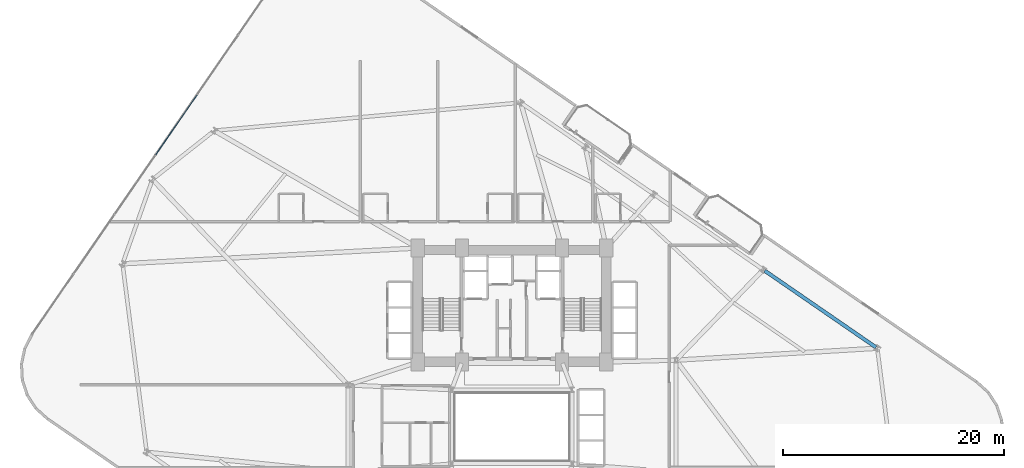
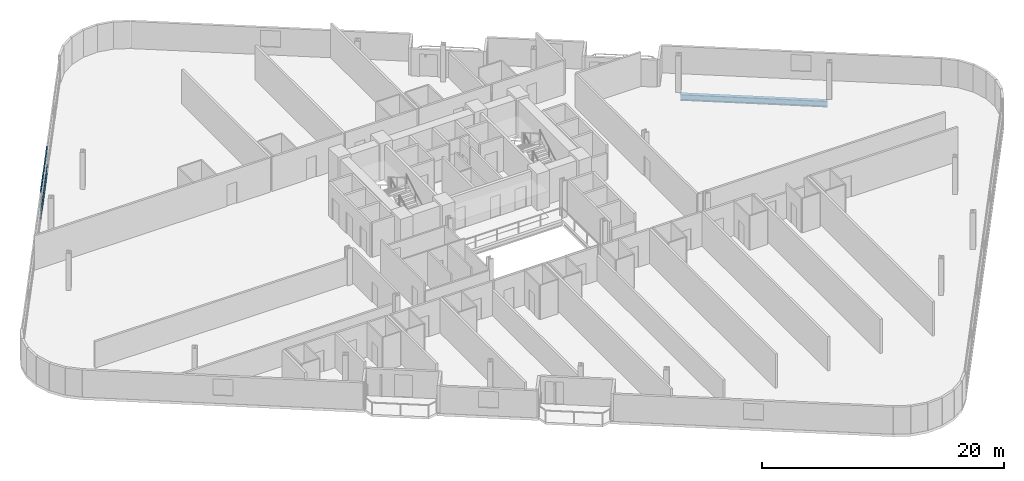
# One storey, part 12 of 25: 3 members, 1 beam, 1 element without a shape of its own.
"""IFC4 building model written with IfcOpenShell, lengths in metres."""

from ifc_helpers import new_model, si_unit, direction, frame, origin, origin_2d, place, context, subcontext, project, spatial, hollow_rectangle, i_section, extrude, material, layer, layer_set, material_profile, profile_set, type_object, element, aggregate, save


model = new_model("IFC4")

# Units and contexts
model_context = context("Model", 3, precision=1e-05, world=origin(), true_north=direction((0.0, 1.0)))
body_context = subcontext(model_context, "Body", "Model", "MODEL_VIEW")
ifc_project = project(units=[si_unit("LENGTHUNIT", "METRE"), si_unit("AREAUNIT", "SQUARE_METRE"), si_unit("VOLUMEUNIT", "CUBIC_METRE"), si_unit("PLANEANGLEUNIT", "RADIAN"), si_unit("MASSUNIT", "GRAM", prefix="KILO")], contexts=[model_context])

# Site, building, storey
site_placement = place(None, origin())
site = spatial("IfcSite", under=ifc_project, at=site_placement, CompositionType="ELEMENT")
building_placement = place(site_placement, origin())
building = spatial("IfcBuilding", under=site, at=building_placement, Name="Varnelok Gate Tower", CompositionType="ELEMENT")
storey_placement = place(building_placement, frame((0.0, 0.0, 34.39990234375)))
storey = spatial("IfcBuildingStorey", under=building, at=storey_placement, Name="L07", CompositionType="ELEMENT", Elevation=34.39990234375)

# Beam
ifc_material_1 = material(Name="Structural Steel ASTM A992 Grade 50", Category="steel")
ifc_material_profile_1 = material_profile(ifc_material_1, i_section(OverallWidth=0.323974609375, OverallDepth=0.611083984375, WebThickness=0.0126953125, FlangeThickness=0.01904296875, FilletRadius=0.01806640625, at=origin_2d()), Name="W24X104")
ifc_profile_set_1 = profile_set([ifc_material_profile_1], Name="Structural Steel ASTM A992 Grade 50")
beam_type = type_object("IfcBeamType", Name="BM-SPN-W24X104", PredefinedType="SPANDREL", material=ifc_profile_set_1)
beam_placement = place(storey_placement, frame((72.06201171875, 30.08251953125, -0.555419921875), z_axis=(-0.823543541425, 0.567253061144, 0.0), x_axis=(-0.567253061144, -0.823543541425, 0.0)))
element("IfcBeam", 1, at=beam_placement, inside=storey, type_object=beam_type, Name="L07 Perimeter Spandrel Beam 9", PredefinedType="SPANDREL", context=body_context, shape_type="SweptSolid", body=[
    extrude(i_section(OverallWidth=0.323974609375, OverallDepth=0.611083984375, WebThickness=0.0126953125, FlangeThickness=0.01904296875, FilletRadius=0.01806640625, at=origin_2d()), origin(), (0.0, 0.0, 1.0), 12.199951171875),
])

# Curtain wall, members
ifc_material_2 = material(Name="Anodized Aluminum Alloy 6063-T6", Category="aluminium")
ifc_layer = layer(ifc_material_2, 0.179931640625)
ifc_layer_set = layer_set([ifc_layer], Name="Anodized Aluminum Alloy 6063-T6")
curtain_wall_type = type_object("IfcCurtainWallType", Name="CW3-HOTEL-VISION", PredefinedType="USERDEFINED", material=ifc_layer_set)
curtain_wall_placement = place(storey_placement, origin())
curtain_wall = element("IfcCurtainWall", 2, at=curtain_wall_placement, inside=storey, type_object=curtain_wall_type, Name="L07 West End Vision Curtain Wall", ObjectType="UNITISED CURTAIN WALL", PredefinedType="USERDEFINED")
ifc_material_profile_2 = material_profile(ifc_material_2, hollow_rectangle(XDim=0.06494140625, YDim=0.159912109375, WallThickness=0.00390625, at=origin_2d()), Name="ALU160X65X4")
ifc_profile_set_2 = profile_set([ifc_material_profile_2], Name="Anodized Aluminum Alloy 6063-T6")
member_type = type_object("IfcMemberType", Name="CW-TRAN-160", PredefinedType="USERDEFINED", material=ifc_profile_set_2)
member_1_placement = place(storey_placement, frame((7.05126953125, 47.484375, 0.03271484375), z_axis=(0.567279204469, 0.823525533409, 0.0), x_axis=(-0.823525533409, 0.567279204469, 0.0)))
member_1 = element("IfcMember", 3, at=member_1_placement, type_object=member_type, Name="CW3 transom 4.1", ObjectType="TRANSOM", PredefinedType="USERDEFINED", context=body_context, shape_type="SweptSolid", body=[
    extrude(hollow_rectangle(XDim=0.06494140625, YDim=0.159912109375, WallThickness=0.00390625, at=origin_2d()), origin(), (0.0, 0.0, 1.0), 6.501708984375),
])
member_2_placement = place(storey_placement, frame((7.05126953125, 47.484375, 0.900146484375), z_axis=(0.567279204469, 0.823525533409, 0.0), x_axis=(-0.823525533409, 0.567279204469, 0.0)))
member_2 = element("IfcMember", 4, at=member_2_placement, type_object=member_type, Name="CW3 transom 4.2", ObjectType="TRANSOM", PredefinedType="USERDEFINED", context=body_context, shape_type="SweptSolid", body=[
    extrude(hollow_rectangle(XDim=0.06494140625, YDim=0.159912109375, WallThickness=0.00390625, at=origin_2d()), origin(), (0.0, 0.0, 1.0), 6.501708984375),
])
member_3_placement = place(storey_placement, frame((7.05126953125, 47.484375, 2.697509765625), z_axis=(0.567279204469, 0.823525533409, 0.0), x_axis=(-0.823525533409, 0.567279204469, 0.0)))
member_3 = element("IfcMember", 5, at=member_3_placement, type_object=member_type, Name="CW3 transom 4.3", ObjectType="TRANSOM", PredefinedType="USERDEFINED", context=body_context, shape_type="SweptSolid", body=[
    extrude(hollow_rectangle(XDim=0.06494140625, YDim=0.159912109375, WallThickness=0.00390625, at=origin_2d()), origin(), (0.0, 0.0, 1.0), 6.501708984375),
])
aggregate(curtain_wall, [member_1, member_2, member_3])

save(model, "model.ifc")
